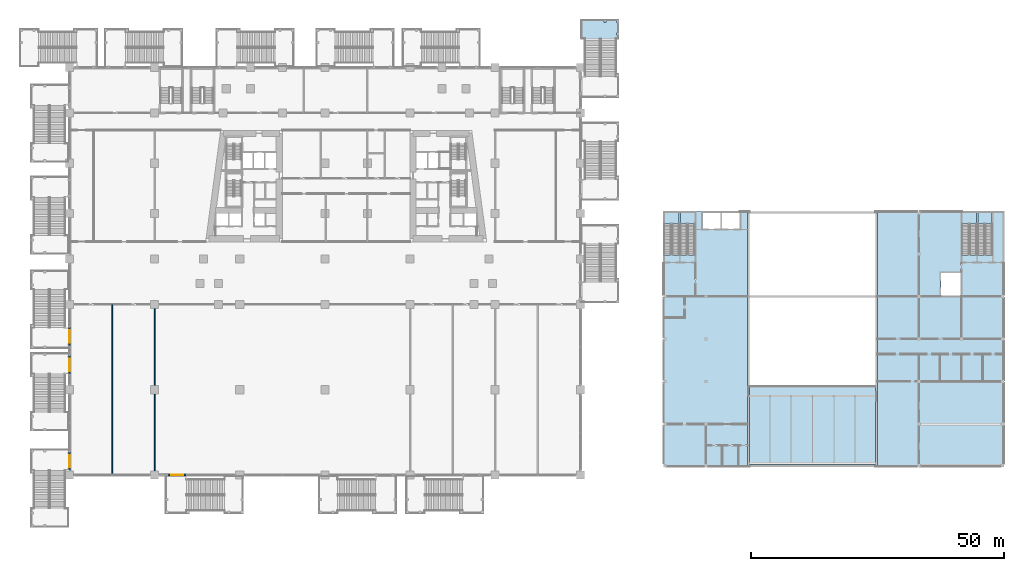
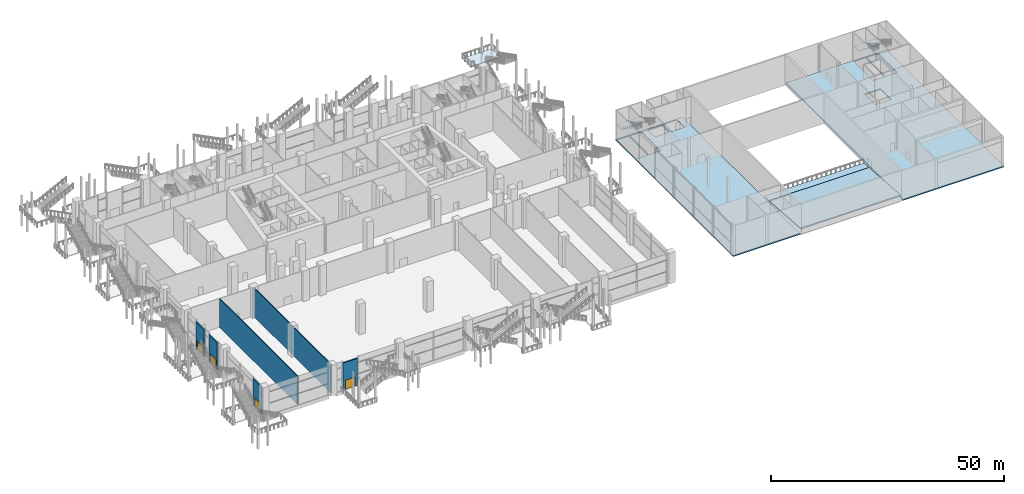
# One storey, part 22 of 52: 9 slabs, 6 walls, 4 doors, 4 openings, 5 elements without a shape of their own.
"""IFC4 building model written with IfcOpenShell, lengths in metres."""

from ifc_helpers import new_model, si_unit, direction, frame, frame_2d, origin, place, context, subcontext, project, spatial, polyline, rectangle, outline, extrude, material, layer, layer_set, type_object, element, fill, aggregate, save


model = new_model("IFC4")

# Units and contexts
model_context = context("Model", 3, precision=1e-05, world=origin(), true_north=direction((0.0, 1.0)))
body_context = subcontext(model_context, "Body", "Model", "MODEL_VIEW")
ifc_project = project(units=[si_unit("LENGTHUNIT", "METRE"), si_unit("AREAUNIT", "SQUARE_METRE"), si_unit("VOLUMEUNIT", "CUBIC_METRE"), si_unit("PLANEANGLEUNIT", "RADIAN"), si_unit("MASSUNIT", "GRAM", prefix="KILO")], contexts=[model_context])

# Site, building, storey
site_placement = place(None, origin())
site = spatial("IfcSite", under=ifc_project, at=site_placement, CompositionType="ELEMENT")
building_placement = place(site_placement, origin())
building = spatial("IfcBuilding", under=site, at=building_placement, Name="Candeia Pilgrim Tower and Theatre", CompositionType="ELEMENT")
storey_placement = place(building_placement, frame((0.0, 0.0, 9.0)))
storey = spatial("IfcBuildingStorey", under=building, at=storey_placement, Name="L01", CompositionType="ELEMENT", Elevation=9.0)

# Slabs
ifc_material_1 = material(Name="Concrete C35/45", Category="concrete")
ifc_layer_1 = layer(ifc_material_1, 0.300048828125)
ifc_layer_set_1 = layer_set([ifc_layer_1], Name="Circle floor slab 300")
slab_type_1 = type_object("IfcSlabType", Name="Circle floor slab 300", PredefinedType="FLOOR", material=ifc_layer_set_1)
slab_1_placement = place(storey_placement, frame((0.0, 0.0, -0.300048828125)))
element("IfcSlab", 1, at=slab_1_placement, inside=storey, type_object=slab_type_1, Name="Circle 1 front floor", PredefinedType="FLOOR", context=body_context, shape_type="SweptSolid", body=[
    extrude(outline(polyline([(193.0, 80.0), (217.800048828125, 80.0), (217.800048828125, 82.0), (193.0, 82.0), (193.0, 80.0)])), origin(), (0.0, 0.0, 1.0), 0.300048828125),
])
slab_2_placement = place(storey_placement, frame((193.0, 66.39990234375, 0.99951171875), z_axis=(0.0, 0.073295305599, 0.997310281797), x_axis=(1.0, 0.0, 0.0)))
element("IfcSlab", 2, at=slab_2_placement, inside=storey, type_object=slab_type_1, Name="Circle 1 raked floor", PredefinedType="FLOOR", context=body_context, shape_type="SweptSolid", body=[
    extrude(outline(polyline([(0.0, 0.0), (24.800048828125, 0.0), (24.800048828125, 13.636776742891088), (0.0, 13.636776742891088), (0.0, 0.0)])), origin(), (0.0, 0.0, -1.0), 0.300048828125),
])

# Stair, slab
ifc_material_2 = material(Name="Concrete C40/50", Category="concrete")
stair_type_1 = type_object("IfcStairType", Name="ST-EXT external escape stair", PredefinedType="HALF_TURN_STAIR", material=ifc_material_2)
stair_1_placement = place(storey_placement, origin())
stair_1 = element("IfcStair", 3, at=stair_1_placement, inside=storey, type_object=stair_type_1, Name="L01 External escape stair ES2", PredefinedType="HALF_TURN_STAIR")
ifc_layer_2 = layer(ifc_material_2, 0.199951171875)
ifc_layer_set_2 = layer_set([ifc_layer_2], Name="SL-EXT stair landing")
slab_type_2 = type_object("IfcSlabType", Name="SL-EXT stair landing", PredefinedType="LANDING", material=ifc_layer_set_2)
slab_3_placement = place(storey_placement, frame((0.0, 0.0, 3.800048828125)))
slab_3 = element("IfcSlab", 4, at=slab_3_placement, type_object=slab_type_2, Name="L01 External escape stair ES2 landing", PredefinedType="LANDING", context=body_context, shape_type="SweptSolid", body=[
    extrude(outline(polyline([(159.800048828125, 150.4599609375), (159.800048828125, 154.159912109375), (167.14990234375, 154.159912109375), (167.14990234375, 150.4599609375), (159.800048828125, 150.4599609375)]), holes=[polyline([(166.699951171875, 151.2099609375), (167.10009765625, 151.2099609375), (167.10009765625, 151.610107421875), (166.699951171875, 151.610107421875), (166.699951171875, 151.2099609375)]), polyline([(166.699951171875, 153.7099609375), (167.10009765625, 153.7099609375), (167.10009765625, 154.110107421875), (166.699951171875, 154.110107421875), (166.699951171875, 153.7099609375)]), polyline([(164.27490234375, 153.7099609375), (164.675048828125, 153.7099609375), (164.675048828125, 154.110107421875), (164.27490234375, 154.110107421875), (164.27490234375, 153.7099609375)])]), origin(), (0.0, 0.0, 1.0), 0.199951171875),
])
aggregate(stair_1, [slab_3])

stair_type_2 = type_object("IfcStairType", Name="Theatre stair", PredefinedType="HALF_TURN_STAIR", material=ifc_material_1)
stair_2_placement = place(storey_placement, origin())
stair_2 = element("IfcStair", 5, at=stair_2_placement, inside=storey, type_object=stair_type_2, Name="L01 Theatre stair S1", PredefinedType="HALF_TURN_STAIR")
ifc_layer_3 = layer(ifc_material_1, 0.199951171875)
ifc_layer_set_3 = layer_set([ifc_layer_3], Name="Stair landing 200")
slab_type_3 = type_object("IfcSlabType", Name="Stair landing 200", PredefinedType="LANDING", material=ifc_layer_set_3)
slab_4_placement = place(storey_placement, frame((0.0, 0.0, 3.800048828125)))
slab_4 = element("IfcSlab", 6, at=slab_4_placement, type_object=slab_type_3, Name="TS1 landing 1", PredefinedType="LANDING", context=body_context, shape_type="SweptSolid", body=[
    extrude(outline(polyline([(179.10009765625, 113.93505859375), (179.10009765625, 116.14990234375), (176.125, 116.14990234375), (176.125, 113.93505859375), (179.10009765625, 113.93505859375)])), origin(), (0.0, 0.0, 1.0), 0.199951171875),
])
aggregate(stair_2, [slab_4])

stair_3_placement = place(storey_placement, origin())
stair_3 = element("IfcStair", 7, at=stair_3_placement, inside=storey, type_object=stair_type_2, Name="L01 Theatre stair S2", PredefinedType="HALF_TURN_STAIR")
slab_5_placement = place(storey_placement, frame((0.0, 0.0, 3.800048828125)))
slab_5 = element("IfcSlab", 8, at=slab_5_placement, type_object=slab_type_3, Name="TS2 landing 1", PredefinedType="LANDING", context=body_context, shape_type="SweptSolid", body=[
    extrude(outline(polyline([(182.199951171875, 113.93505859375), (182.199951171875, 116.14990234375), (179.35009765625, 116.14990234375), (179.35009765625, 113.93505859375), (182.199951171875, 113.93505859375)])), origin(), (0.0, 0.0, 1.0), 0.199951171875),
])
aggregate(stair_3, [slab_5])

stair_4_placement = place(storey_placement, origin())
stair_4 = element("IfcStair", 9, at=stair_4_placement, inside=storey, type_object=stair_type_2, Name="L01 Theatre stair S3", PredefinedType="HALF_TURN_STAIR")
slab_6_placement = place(storey_placement, frame((0.0, 0.0, 3.800048828125)))
slab_6 = element("IfcSlab", 10, at=slab_6_placement, type_object=slab_type_3, Name="TS3 landing 1", PredefinedType="LANDING", context=body_context, shape_type="SweptSolid", body=[
    extrude(outline(polyline([(237.77490234375, 113.93505859375), (237.77490234375, 116.14990234375), (234.925048828125, 116.14990234375), (234.925048828125, 113.93505859375), (237.77490234375, 113.93505859375)])), origin(), (0.0, 0.0, 1.0), 0.199951171875),
])
aggregate(stair_4, [slab_6])

stair_5_placement = place(storey_placement, origin())
stair_5 = element("IfcStair", 11, at=stair_5_placement, inside=storey, type_object=stair_type_2, Name="L01 Theatre stair S4", PredefinedType="HALF_TURN_STAIR")
slab_7_placement = place(storey_placement, frame((0.0, 0.0, 3.800048828125)))
slab_7 = element("IfcSlab", 12, at=slab_7_placement, type_object=slab_type_3, Name="TS4 landing 1", PredefinedType="LANDING", context=body_context, shape_type="SweptSolid", body=[
    extrude(outline(polyline([(240.875, 113.93505859375), (240.875, 116.14990234375), (238.02490234375, 116.14990234375), (238.02490234375, 113.93505859375), (240.875, 113.93505859375)])), origin(), (0.0, 0.0, 1.0), 0.199951171875),
])
aggregate(stair_5, [slab_7])

# Slabs
ifc_layer_4 = layer(ifc_material_1, 0.300048828125)
ifc_layer_set_4 = layer_set([ifc_layer_4], Name="Theatre floor slab 300")
slab_type_4 = type_object("IfcSlabType", Name="Theatre floor slab 300", PredefinedType="FLOOR", material=ifc_layer_set_4)
slab_8_placement = place(storey_placement, frame((0.0, 0.0, -0.300048828125)))
element("IfcSlab", 13, at=slab_8_placement, inside=storey, type_object=slab_type_4, Name="T-L01-F1", PredefinedType="FLOOR", context=body_context, shape_type="SweptSolid", body=[
    extrude(outline(polyline([(192.60009765625, 66.0), (176.0, 66.0), (176.0, 116.39990234375), (192.60009765625, 116.39990234375), (192.60009765625, 66.0)]), holes=[polyline([(179.10009765625, 116.14990234375), (176.125, 116.14990234375), (176.125, 107.794921875), (179.10009765625, 107.794921875), (179.10009765625, 116.14990234375)]), polyline([(182.199951171875, 107.794921875), (182.199951171875, 116.14990234375), (179.35009765625, 116.14990234375), (179.35009765625, 107.794921875), (182.199951171875, 107.794921875)]), polyline([(183.72509765625, 112.925048828125), (187.27490234375, 112.925048828125), (187.27490234375, 116.27490234375), (183.72509765625, 116.27490234375), (183.72509765625, 112.925048828125)]), polyline([(187.52490234375, 116.27490234375), (187.52490234375, 112.925048828125), (191.074951171875, 112.925048828125), (191.074951171875, 116.27490234375), (187.52490234375, 116.27490234375)])]), origin(), (0.0, 0.0, 1.0), 0.300048828125),
])
slab_9_placement = place(storey_placement, frame((0.0, 0.0, -0.300048828125)))
element("IfcSlab", 14, at=slab_9_placement, inside=storey, type_object=slab_type_4, Name="T-L01-F2", PredefinedType="FLOOR", context=body_context, shape_type="SweptSolid", body=[
    extrude(outline(polyline([(243.199951171875, 66.0), (218.199951171875, 66.0), (218.199951171875, 116.39990234375), (243.199951171875, 116.39990234375), (243.199951171875, 66.0)]), holes=[polyline([(234.925048828125, 107.794921875), (237.77490234375, 107.794921875), (237.77490234375, 116.14990234375), (234.925048828125, 116.14990234375), (234.925048828125, 107.794921875)]), polyline([(238.02490234375, 116.14990234375), (238.02490234375, 107.794921875), (240.875, 107.794921875), (240.875, 116.14990234375), (238.02490234375, 116.14990234375)]), polyline([(234.675048828125, 104.27490234375), (230.72509765625, 104.27490234375), (230.72509765625, 99.72509765625), (234.675048828125, 99.72509765625), (234.675048828125, 104.27490234375)])]), origin(), (0.0, 0.0, 1.0), 0.300048828125),
])

# Wall, opening, door
ifc_material_3 = material(Name="Ceramic block masonry", Category="masonry")
ifc_layer_5 = layer(ifc_material_3, 0.300048828125)
ifc_layer_set_5 = layer_set([ifc_layer_5], Name="EW2 entrance infill wall 300")
wall_type_1 = type_object("IfcWallType", Name="EW2 entrance infill wall 300", PredefinedType="SOLIDWALL", material=ifc_layer_set_5)
wall_1_placement = place(storey_placement, frame((58.800048828125, 65.300048828125, 0.0), z_axis=(0.0, 0.0, 1.0), x_axis=(0.0, 1.0, 0.0)))
wall_1 = element("IfcWall", 15, at=wall_1_placement, inside=storey, type_object=wall_type_1, Name="Entrance wall L01", PredefinedType="SOLIDWALL", context=body_context, shape_type="SweptSolid", body=[
    extrude(rectangle(XDim=3.599853515625, YDim=0.300048828125, at=frame_2d((1.7998046875, 0.0))), origin(), (0.0, 0.0, 1.0), 7.10009765625),
])
opening_1_placement = place(wall_1_placement, frame((0.60009765625, 0.0, 0.0)))
opening_1 = element("IfcOpeningElement", 16, at=opening_1_placement, cuts=wall_1, Name="Opening L01-ED027", PredefinedType="OPENING", context=body_context, shape_type="SweptSolid", body=[
    extrude(rectangle(XDim=2.39990234375, YDim=2.39990234375, at=frame_2d((1.199951171875, 1.199951171875))), frame((0.0, 0.16015625, 0.0), z_axis=(0.0, -1.0, 0.0), x_axis=(1.0, 0.0, 0.0)), (0.0, 0.0, 1.0), 0.320068359375),
])
ifc_material_4 = material(Name="Aluminium framed glazed door", Category="aluminium")
door_type = type_object("IfcDoorType", Name="ED entrance double door 2400x2400", OperationType="DOUBLE_DOOR_DOUBLE_SWING", PredefinedType="DOOR", material=ifc_material_4)
door_1_placement = place(opening_1_placement, origin())
door_1 = element("IfcDoor", 17, at=door_1_placement, inside=storey, type_object=door_type, Name="Entrance door L01-ED027", OperationType="DOUBLE_DOOR_DOUBLE_SWING", OverallHeight=2.39990234375, OverallWidth=2.39990234375, PredefinedType="DOOR", context=body_context, shape_type="SweptSolid", body=[
    extrude(rectangle(XDim=2.39990234375, YDim=2.39990234375, at=frame_2d((1.199951171875, 1.199951171875))), frame((0.0, 0.02490234375, 0.0), z_axis=(0.0, -1.0, 0.0), x_axis=(1.0, 0.0, 0.0)), (0.0, 0.0, 1.0), 0.050048828125),
])
fill(opening_1, door_1)

wall_2_placement = place(storey_placement, frame((58.800048828125, 84.300048828125, 0.0), z_axis=(0.0, 0.0, 1.0), x_axis=(0.0, 1.0, 0.0)))
wall_2 = element("IfcWall", 18, at=wall_2_placement, inside=storey, type_object=wall_type_1, Name="Entrance wall L01", PredefinedType="SOLIDWALL", context=body_context, shape_type="SweptSolid", body=[
    extrude(rectangle(XDim=3.599853515625, YDim=0.300048828125, at=frame_2d((1.7998046875, 0.0))), origin(), (0.0, 0.0, 1.0), 7.10009765625),
])
opening_2_placement = place(wall_2_placement, frame((0.60009765625, 0.0, 0.0)))
opening_2 = element("IfcOpeningElement", 19, at=opening_2_placement, cuts=wall_2, Name="Opening L01-ED028", PredefinedType="OPENING", context=body_context, shape_type="SweptSolid", body=[
    extrude(rectangle(XDim=2.39990234375, YDim=2.39990234375, at=frame_2d((1.199951171875, 1.199951171875))), frame((0.0, 0.16015625, 0.0), z_axis=(0.0, -1.0, 0.0), x_axis=(1.0, 0.0, 0.0)), (0.0, 0.0, 1.0), 0.320068359375),
])
door_2_placement = place(opening_2_placement, origin())
door_2 = element("IfcDoor", 20, at=door_2_placement, inside=storey, type_object=door_type, Name="Entrance door L01-ED028", OperationType="DOUBLE_DOOR_DOUBLE_SWING", OverallHeight=2.39990234375, OverallWidth=2.39990234375, PredefinedType="DOOR", context=body_context, shape_type="SweptSolid", body=[
    extrude(rectangle(XDim=2.39990234375, YDim=2.39990234375, at=frame_2d((1.199951171875, 1.199951171875))), frame((0.0, 0.02490234375, 0.0), z_axis=(0.0, -1.0, 0.0), x_axis=(1.0, 0.0, 0.0)), (0.0, 0.0, 1.0), 0.050048828125),
])
fill(opening_2, door_2)

wall_3_placement = place(storey_placement, frame((58.800048828125, 89.89990234375, 0.0), z_axis=(0.0, 0.0, 1.0), x_axis=(0.0, 1.0, 0.0)))
wall_3 = element("IfcWall", 21, at=wall_3_placement, inside=storey, type_object=wall_type_1, Name="Entrance wall L01", PredefinedType="SOLIDWALL", context=body_context, shape_type="SweptSolid", body=[
    extrude(rectangle(XDim=3.60009765625, YDim=0.300048828125, at=frame_2d((1.800048828125, 0.0))), origin(), (0.0, 0.0, 1.0), 7.10009765625),
])
opening_3_placement = place(wall_3_placement, frame((0.60009765625, 0.0, 0.0)))
opening_3 = element("IfcOpeningElement", 22, at=opening_3_placement, cuts=wall_3, Name="Opening L01-ED029", PredefinedType="OPENING", context=body_context, shape_type="SweptSolid", body=[
    extrude(rectangle(XDim=2.39990234375, YDim=2.39990234375, at=frame_2d((1.199951171875, 1.199951171875))), frame((0.0, 0.16015625, 0.0), z_axis=(0.0, -1.0, 0.0), x_axis=(1.0, 0.0, 0.0)), (0.0, 0.0, 1.0), 0.320068359375),
])
door_3_placement = place(opening_3_placement, origin())
door_3 = element("IfcDoor", 23, at=door_3_placement, inside=storey, type_object=door_type, Name="Entrance door L01-ED029", OperationType="DOUBLE_DOOR_DOUBLE_SWING", OverallHeight=2.39990234375, OverallWidth=2.39990234375, PredefinedType="DOOR", context=body_context, shape_type="SweptSolid", body=[
    extrude(rectangle(XDim=2.39990234375, YDim=2.39990234375, at=frame_2d((1.199951171875, 1.199951171875))), frame((0.0, 0.02490234375, 0.0), z_axis=(0.0, -1.0, 0.0), x_axis=(1.0, 0.0, 0.0)), (0.0, 0.0, 1.0), 0.050048828125),
])
fill(opening_3, door_3)

wall_4_placement = place(storey_placement, frame((81.89990234375, 64.39990234375, 0.0), z_axis=(0.0, 0.0, 1.0), x_axis=(-1.0, 0.0, 0.0)))
wall_4 = element("IfcWall", 24, at=wall_4_placement, inside=storey, type_object=wall_type_1, Name="Entrance wall L01", PredefinedType="SOLIDWALL", context=body_context, shape_type="SweptSolid", body=[
    extrude(rectangle(XDim=3.599853515625, YDim=0.300048828125, at=frame_2d((1.7998046875, 0.0))), origin(), (0.0, 0.0, 1.0), 7.10009765625),
])
opening_4_placement = place(wall_4_placement, frame((0.60009765625, 0.0, 0.0)))
opening_4 = element("IfcOpeningElement", 25, at=opening_4_placement, cuts=wall_4, Name="Opening L01-ED042", PredefinedType="OPENING", context=body_context, shape_type="SweptSolid", body=[
    extrude(rectangle(XDim=2.39990234375, YDim=2.39990234375, at=frame_2d((1.199951171875, 1.199951171875))), frame((0.0, 0.16015625, 0.0), z_axis=(0.0, -1.0, 0.0), x_axis=(1.0, 0.0, 0.0)), (0.0, 0.0, 1.0), 0.320068359375),
])
door_4_placement = place(opening_4_placement, origin())
door_4 = element("IfcDoor", 26, at=door_4_placement, inside=storey, type_object=door_type, Name="Entrance door L01-ED042", OperationType="DOUBLE_DOOR_DOUBLE_SWING", OverallHeight=2.39990234375, OverallWidth=2.39990234375, PredefinedType="DOOR", context=body_context, shape_type="SweptSolid", body=[
    extrude(rectangle(XDim=2.39990234375, YDim=2.39990234375, at=frame_2d((1.199951171875, 1.199951171875))), frame((0.0, 0.02490234375, 0.0), z_axis=(0.0, -1.0, 0.0), x_axis=(1.0, 0.0, 0.0)), (0.0, 0.0, 1.0), 0.050048828125),
])
fill(opening_4, door_4)

# Walls
ifc_material_5 = material(Name="Gypsum board partition on steel studs", Category="steel")
ifc_layer_6 = layer(ifc_material_5, 0.199951171875)
ifc_layer_set_6 = layer_set([ifc_layer_6], Name="PW-200 party wall")
wall_type_2 = type_object("IfcWallType", Name="PW-200 party wall", PredefinedType="PARTITIONING", material=ifc_layer_set_6)
for number, where, z_axis, x_axis, name in (
    (27, (67.199951171875, 64.449951171875, 0.0), (0.0, 0.0, 1.0), (0.0, 1.0, 0.0), "Party wall L01-045"),
    (28, (75.60009765625, 64.449951171875, 0.0), (0.0, 0.0, 1.0), (0.0, 1.0, 0.0), "Party wall L01-046"),
):
    element("IfcWall", number, at=place(storey_placement, frame(where, z_axis=z_axis, x_axis=x_axis)), inside=storey, type_object=wall_type_2, Name=name, PredefinedType="PARTITIONING", context=body_context, shape_type="SweptSolid", body=[
        extrude(rectangle(XDim=33.47509765625, YDim=0.199951171875, at=frame_2d((16.737548828125, 0.0))), origin(), (0.0, 0.0, 1.0), 7.5),
    ])

save(model, "model.ifc")
